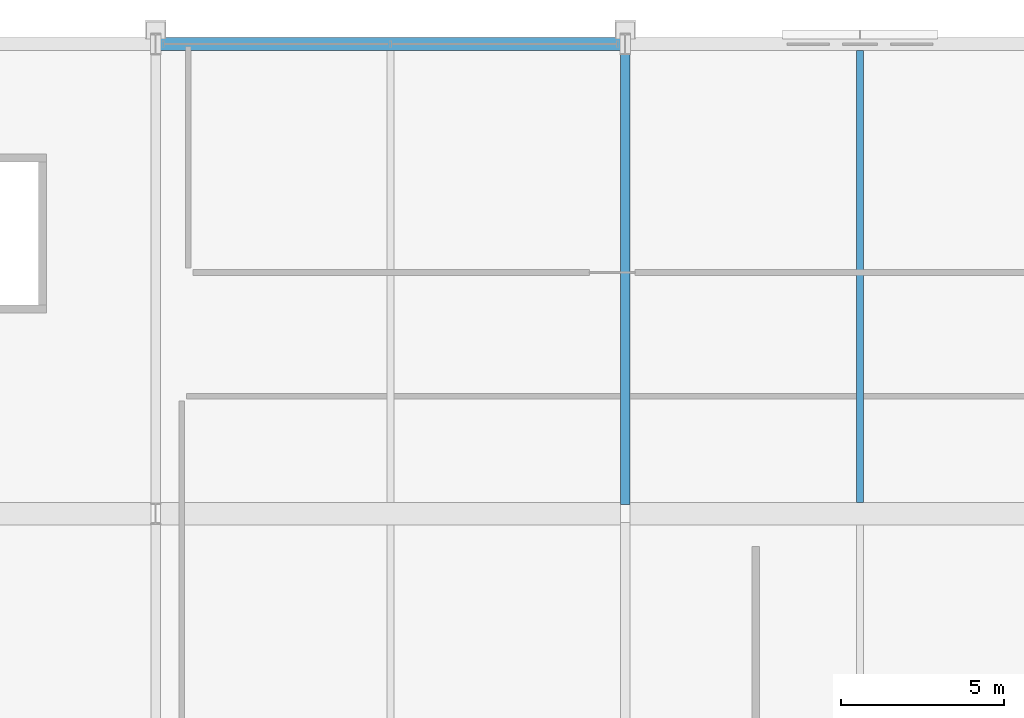
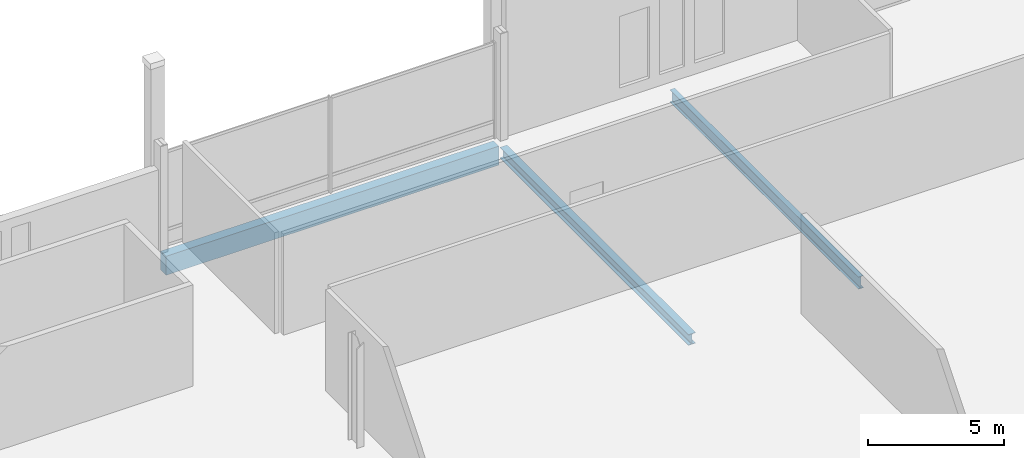
# One storey, part 105 of 193: 3 beams.
"""IFC4 building model written with IfcOpenShell, lengths in metres."""

from ifc_helpers import new_model, si_unit, direction, frame, origin, origin_2d, place, context, subcontext, project, spatial, rectangle, i_section, extrude, material, material_profile, profile_set, type_object, element, save


model = new_model("IFC4")

# Units and contexts
model_context = context("Model", 3, precision=1e-05, world=origin(), true_north=direction((0.0, 1.0)))
body_context = subcontext(model_context, "Body", "Model", "MODEL_VIEW")
ifc_project = project(units=[si_unit("LENGTHUNIT", "METRE"), si_unit("AREAUNIT", "SQUARE_METRE"), si_unit("VOLUMEUNIT", "CUBIC_METRE"), si_unit("PLANEANGLEUNIT", "RADIAN"), si_unit("MASSUNIT", "GRAM", prefix="KILO")], contexts=[model_context])

# Site, building, storey
site_placement = place(None, origin())
site = spatial("IfcSite", under=ifc_project, at=site_placement, CompositionType="ELEMENT")
building_placement = place(site_placement, origin())
building = spatial("IfcBuilding", under=site, at=building_placement, Name="Cendralis Lancet Convention Centre", CompositionType="ELEMENT")
storey_placement = place(building_placement, frame((0.0, 0.0, 10.199951171875)))
storey = spatial("IfcBuildingStorey", under=building, at=storey_placement, Name="L02", CompositionType="ELEMENT", Elevation=10.199951171875)

# Beams
ifc_material_1 = material(Name="Steel S355", Category="steel")
ifc_material_profile_1 = material_profile(ifc_material_1, i_section(OverallWidth=0.300048828125, OverallDepth=0.489990234375, WebThickness=0.011962890625, FlangeThickness=0.02294921875, FilletRadius=0.027099609375, at=origin_2d()), Name="HEA 500")
ifc_profile_set_1 = profile_set([ifc_material_profile_1], Name="Steel S355")
beam_type_1 = type_object("IfcBeamType", Name="STR-BM-SG12", PredefinedType="BEAM", material=ifc_profile_set_1)
beam_1_placement = place(storey_placement, frame((168.0, 122.675048828125, -0.544921875), z_axis=(0.0, 1.0, 0.0), x_axis=(-1.0, 0.0, 0.0)))
element("IfcBeam", 1, at=beam_1_placement, inside=storey, type_object=beam_type_1, Name="L02 Beam SG12 #1732", PredefinedType="BEAM", context=body_context, shape_type="SweptSolid", body=[
    extrude(i_section(OverallWidth=0.300048828125, OverallDepth=0.489990234375, WebThickness=0.011962890625, FlangeThickness=0.02294921875, FilletRadius=0.027099609375, at=origin_2d()), origin(), (0.0, 0.0, 1.0), 13.849853515625),
])
ifc_material_profile_2 = material_profile(ifc_material_1, i_section(OverallWidth=0.2099609375, OverallDepth=0.550048828125, WebThickness=0.010986328125, FlangeThickness=0.01708984375, FilletRadius=0.02392578125, at=origin_2d()), Name="IPE 550")
ifc_profile_set_2 = profile_set([ifc_material_profile_2], Name="Steel S355")
beam_type_2 = type_object("IfcBeamType", Name="STR-JS-BJ05", PredefinedType="JOIST", material=ifc_profile_set_2)
beam_2_placement = place(storey_placement, frame((175.199951171875, 122.75, -0.574951171875), z_axis=(0.0, 1.0, 0.0), x_axis=(-1.0, 0.0, 0.0)))
element("IfcBeam", 2, at=beam_2_placement, inside=storey, type_object=beam_type_2, Name="L02 Beam BJ05 #1749", PredefinedType="JOIST", context=body_context, shape_type="SweptSolid", body=[
    extrude(i_section(OverallWidth=0.2099609375, OverallDepth=0.550048828125, WebThickness=0.010986328125, FlangeThickness=0.01708984375, FilletRadius=0.02392578125, at=origin_2d()), origin(), (0.0, 0.0, 1.0), 13.85009765625),
])
ifc_material_2 = material(Name="Concrete G40 (C40/50)", Category="concrete")
ifc_material_profile_3 = material_profile(ifc_material_2, rectangle(XDim=0.39990234375, YDim=0.85009765625, at=origin_2d()), Name="RCB 400x850")
ifc_profile_set_3 = profile_set([ifc_material_profile_3], Name="Concrete G40 (C40/50)")
beam_type_3 = type_object("IfcBeamType", Name="STR-SP-SP02", PredefinedType="SPANDREL", material=ifc_profile_set_3)
beam_3_placement = place(storey_placement, frame((153.75, 136.800048828125, -0.724853515625), z_axis=(1.0, 0.0, 0.0), x_axis=(0.0, 1.0, 0.0)))
element("IfcBeam", 3, at=beam_3_placement, inside=storey, type_object=beam_type_3, Name="L02 Beam SP02 #1717", PredefinedType="SPANDREL", context=body_context, shape_type="SweptSolid", body=[
    extrude(rectangle(XDim=0.39990234375, YDim=0.85009765625, at=origin_2d()), origin(), (0.0, 0.0, 1.0), 14.10009765625),
])

save(model, "model.ifc")
